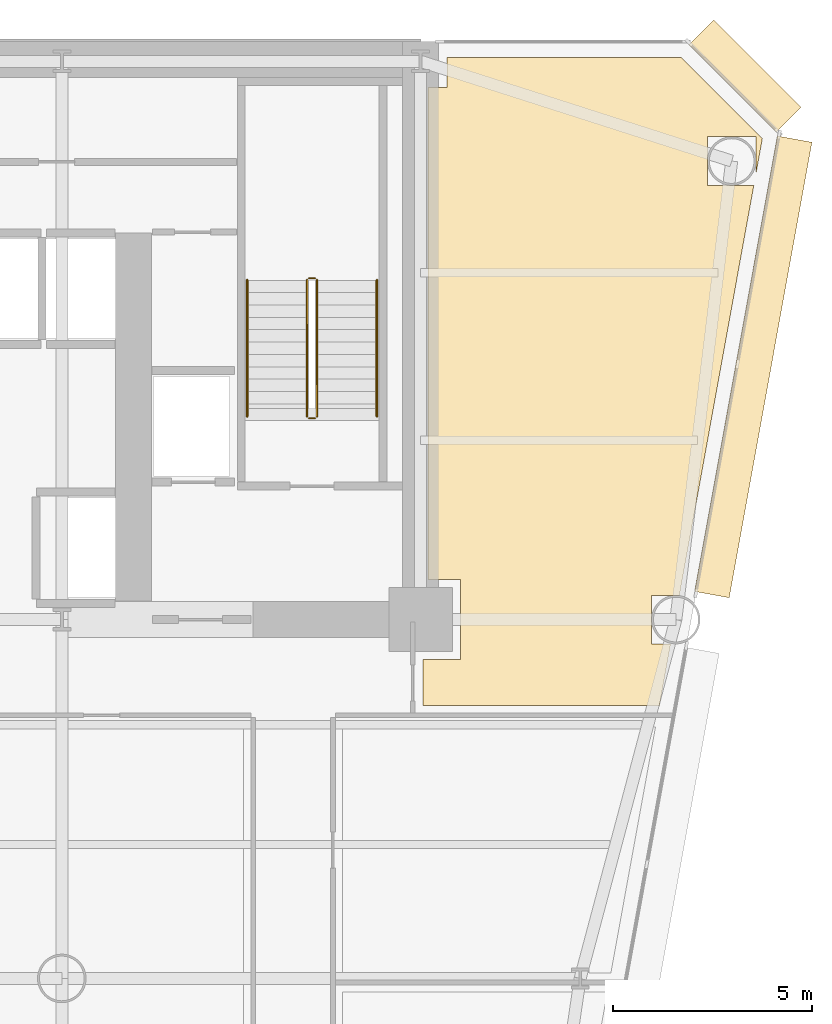
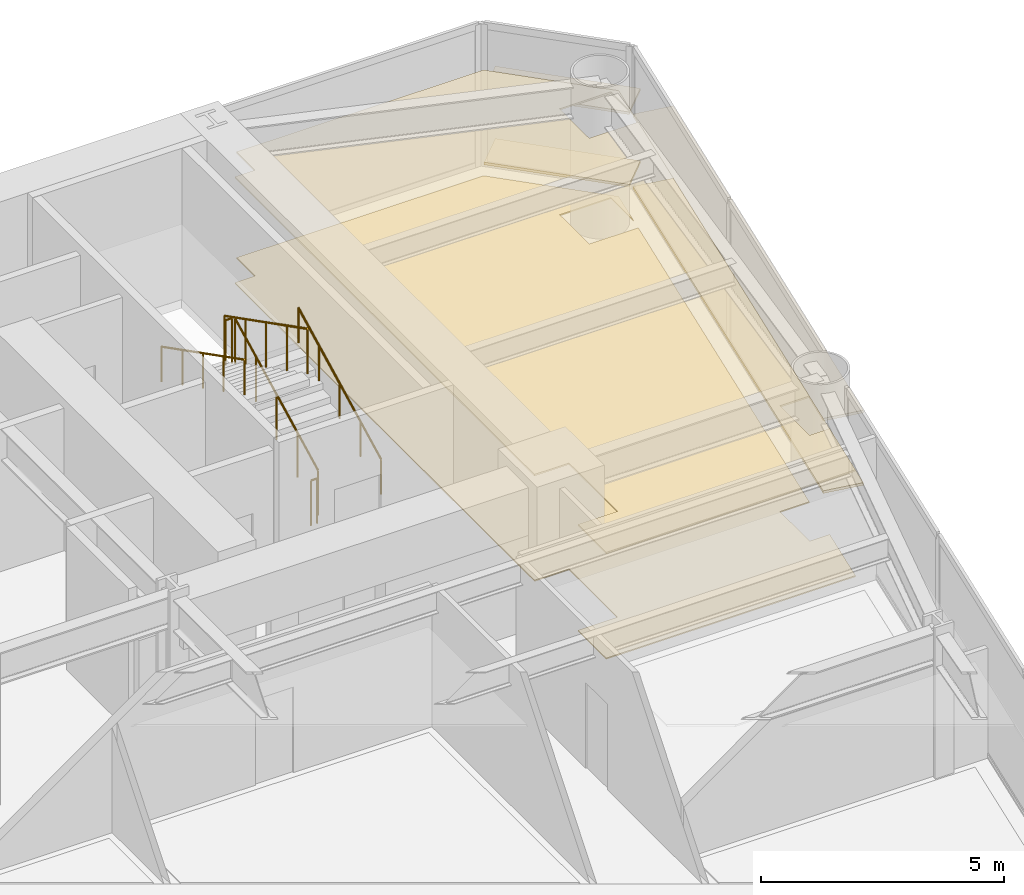
# One storey, part 14 of 14: 6 coverings, 6 railings.
"""IFC4 building model written with IfcOpenShell, lengths in metres."""

from ifc_helpers import new_model, si_unit, direction, frame, origin, origin_2d, place, context, subcontext, project, spatial, polyline, rectangle, circle, outline, extrude, source, transform, mapped, material, layer, layer_set, type_object, element, save


model = new_model("IFC4")

# Units and contexts
model_context = context("Model", 3, precision=1e-05, world=origin(), true_north=direction((0.0, 1.0)))
body_context = subcontext(model_context, "Body", "Model", "MODEL_VIEW")
ifc_project = project(units=[si_unit("LENGTHUNIT", "METRE"), si_unit("AREAUNIT", "SQUARE_METRE"), si_unit("VOLUMEUNIT", "CUBIC_METRE"), si_unit("PLANEANGLEUNIT", "RADIAN"), si_unit("MASSUNIT", "GRAM", prefix="KILO")], contexts=[model_context])

# Site, building, storey
site_placement = place(None, origin())
site = spatial("IfcSite", under=ifc_project, at=site_placement, CompositionType="ELEMENT")
building_placement = place(site_placement, origin())
building = spatial("IfcBuilding", under=site, at=building_placement, Name="Vaeldorn Concourse Tower", CompositionType="ELEMENT")
storey_placement = place(building_placement, frame((0.0, 0.0, 26.39990234375)))
storey = spatial("IfcBuildingStorey", under=building, at=storey_placement, Name="L06", CompositionType="ELEMENT", Elevation=26.39990234375)

# Coverings
ifc_material_1 = material(Name="Acoustic Mineral Fibre Board", Category="gypsum")
ifc_layer_1 = layer(ifc_material_1, 0.0400390625)
ifc_layer_set_1 = layer_set([ifc_layer_1], Name="Acoustic Mineral Fibre Board")
covering_type_1 = type_object("IfcCoveringType", Name="COV-CEIL-ACOUSTIC", PredefinedType="CEILING", material=ifc_layer_set_1)
covering_1_placement = place(storey_placement, frame((0.0, 0.0, 2.650146484375)))
element("IfcCovering", 1, at=covering_1_placement, inside=storey, type_object=covering_type_1, Name="Suspended Acoustic Ceiling L06-4", PredefinedType="CEILING", context=body_context, shape_type="SweptSolid", body=[
    extrude(outline(polyline([(54.179931640625, 49.840087890625), (54.659912109375, 49.840087890625), (54.659912109375, 50.60009765625), (60.5341796875, 50.60009765625), (62.569091796875, 48.565185546875), (62.409423828125, 47.686279296875), (62.409423828125, 48.609619140625), (61.1904296875, 48.609619140625), (61.1904296875, 47.390380859375), (62.355712890625, 47.390380859375), (60.489501953125, 37.109619140625), (59.79052734375, 37.109619140625), (59.79052734375, 35.890380859375), (60.26806640625, 35.890380859375), (59.98681640625, 34.340087890625), (54.06005859375, 34.340087890625), (54.06005859375, 35.5), (55.0, 35.5), (55.0, 37.5), (54.179931640625, 37.5), (54.179931640625, 49.840087890625)])), origin(), (0.0, 0.0, 1.0), 0.0400390625),
])
ifc_material_2 = material(Name="Honed Limestone Terrazzo Flooring", Category="masonry")
ifc_layer_2 = layer(ifc_material_2, 0.0400390625)
ifc_layer_set_2 = layer_set([ifc_layer_2], Name="Honed Limestone Terrazzo Flooring")
covering_type_2 = type_object("IfcCoveringType", Name="COV-FLOOR-STONE", PredefinedType="FLOORING", material=ifc_layer_set_2)
covering_2_placement = place(storey_placement, origin())
element("IfcCovering", 2, at=covering_2_placement, inside=storey, type_object=covering_type_2, Name="Floor Finish Covering L06-4", PredefinedType="FLOORING", context=body_context, shape_type="SweptSolid", body=[
    extrude(outline(polyline([(54.179931640625, 49.840087890625), (54.659912109375, 49.840087890625), (54.659912109375, 50.60009765625), (60.5341796875, 50.60009765625), (62.569091796875, 48.565185546875), (62.409423828125, 47.686279296875), (62.409423828125, 48.609619140625), (61.1904296875, 48.609619140625), (61.1904296875, 47.390380859375), (62.355712890625, 47.390380859375), (60.489501953125, 37.109619140625), (59.79052734375, 37.109619140625), (59.79052734375, 35.890380859375), (60.26806640625, 35.890380859375), (59.98681640625, 34.340087890625), (54.06005859375, 34.340087890625), (54.06005859375, 35.5), (55.0, 35.5), (55.0, 37.5), (54.179931640625, 37.5), (54.179931640625, 49.840087890625)])), origin(), (0.0, 0.0, 1.0), 0.030029296875),
])

# Railings
ifc_material_3 = material(Name="Anodised Bronze Aluminium", Category="aluminium")
railing_type_1 = type_object("IfcRailingType", Name="RL-STAIR-GUARD", PredefinedType="GUARDRAIL", material=ifc_material_3)
railing_1_placement = place(storey_placement, frame((51.39990234375, 41.60009765625, 0.158447265625)))
element("IfcRailing", 3, at=railing_1_placement, inside=storey, type_object=railing_type_1, Name="L06 ST-2 stair guard 1", PredefinedType="GUARDRAIL", context=body_context, shape_type="SweptSolid", body=[
    extrude(circle(Radius=0.02392578125, at=origin_2d()), frame((0.0, 0.0, 1.1259765625), z_axis=(0.0, 0.890555807335, 0.454873997962), x_axis=(-1.0, 0.0, 0.0)), (0.0, 0.0, 1.0), 3.828857421875),
    extrude(circle(Radius=0.02099609375, at=origin_2d()), origin(), (0.0, 0.0, 1.0), 1.101806640625),
    extrude(circle(Radius=0.02099609375, at=origin_2d()), frame((0.0, 0.8525390625, 0.435546875)), (0.0, 0.0, 1.0), 1.101806640625),
    extrude(circle(Radius=0.02099609375, at=origin_2d()), frame((0.0, 1.705078125, 0.870849609375)), (0.0, 0.0, 1.0), 1.101806640625),
    extrude(circle(Radius=0.02099609375, at=origin_2d()), frame((0.0, 2.557373046875, 1.30615234375)), (0.0, 0.0, 1.0), 1.101806640625),
    extrude(circle(Radius=0.02099609375, at=origin_2d()), frame((0.0, 3.409912109375, 1.74169921875)), (0.0, 0.0, 1.0), 1.101806640625),
])
railing_2_placement = place(storey_placement, frame((51.35009765625, 45.06005859375, 1.900146484375)))
element("IfcRailing", 4, at=railing_2_placement, inside=storey, type_object=railing_type_1, Name="L06 ST-2 stair guard 2", PredefinedType="GUARDRAIL", context=body_context, shape_type="SweptSolid", body=[
    extrude(circle(Radius=0.02392578125, at=origin_2d()), frame((0.0, 0.0, 1.1259765625), z_axis=(-1.0, 0.0, 0.0), x_axis=(0.0, -1.0, 0.0)), (0.0, 0.0, 1.0), 0.150146484375),
    extrude(circle(Radius=0.02099609375, at=origin_2d()), origin(), (0.0, 0.0, 1.0), 1.101806640625),
    extrude(circle(Radius=0.02099609375, at=origin_2d()), frame((-0.150146484375, 0.0, 0.0)), (0.0, 0.0, 1.0), 1.101806640625),
])
railing_3_placement = place(storey_placement, frame((51.14990234375, 45.010009765625, 2.058349609375)))
element("IfcRailing", 5, at=railing_3_placement, inside=storey, type_object=railing_type_1, Name="L06 ST-2 stair guard 3", PredefinedType="GUARDRAIL", context=body_context, shape_type="SweptSolid", body=[
    extrude(circle(Radius=0.02392578125, at=origin_2d()), frame((0.0, 0.0, 1.1259765625), z_axis=(0.0, -0.890555807335, 0.454873997962), x_axis=(1.0, 0.0, 0.0)), (0.0, 0.0, 1.0), 3.828857421875),
    extrude(circle(Radius=0.02099609375, at=origin_2d()), origin(), (0.0, 0.0, 1.0), 1.101806640625),
    extrude(circle(Radius=0.02099609375, at=origin_2d()), frame((0.0, -0.8525390625, 0.435546875)), (0.0, 0.0, 1.0), 1.101806640625),
    extrude(circle(Radius=0.02099609375, at=origin_2d()), frame((0.0, -1.705078125, 0.870849609375)), (0.0, 0.0, 1.0), 1.101806640625),
    extrude(circle(Radius=0.02099609375, at=origin_2d()), frame((0.0, -2.557373046875, 1.30615234375)), (0.0, 0.0, 1.0), 1.101806640625),
    extrude(circle(Radius=0.02099609375, at=origin_2d()), frame((0.0, -3.409912109375, 1.74169921875)), (0.0, 0.0, 1.0), 1.101806640625),
])
railing_4_placement = place(storey_placement, frame((51.35009765625, 41.550048828125, 0.0)))
element("IfcRailing", 6, at=railing_4_placement, inside=storey, type_object=railing_type_1, Name="L06 ST-2 stair guard 4", PredefinedType="GUARDRAIL", context=body_context, shape_type="SweptSolid", body=[
    extrude(circle(Radius=0.02392578125, at=origin_2d()), frame((0.0, 0.0, 1.1259765625), z_axis=(-1.0, 0.0, 0.0), x_axis=(0.0, -1.0, 0.0)), (0.0, 0.0, 1.0), 0.150146484375),
    extrude(circle(Radius=0.02099609375, at=origin_2d()), origin(), (0.0, 0.0, 1.0), 1.101806640625),
    extrude(circle(Radius=0.02099609375, at=origin_2d()), frame((-0.150146484375, 0.0, 0.0)), (0.0, 0.0, 1.0), 1.101806640625),
])
railing_type_2 = type_object("IfcRailingType", Name="RL-STAIR-HANDRAIL", PredefinedType="HANDRAIL", material=ifc_material_3)
railing_5_placement = place(storey_placement, frame((52.89990234375, 41.60009765625, 0.158447265625)))
element("IfcRailing", 7, at=railing_5_placement, inside=storey, type_object=railing_type_2, Name="L06 ST-2 stair handrail 1", PredefinedType="HANDRAIL", context=body_context, shape_type="SweptSolid", body=[
    extrude(circle(Radius=0.02392578125, at=origin_2d()), frame((0.0, 0.0, 0.8759765625), z_axis=(0.0, 0.890555807335, 0.454873997962), x_axis=(-1.0, 0.0, 0.0)), (0.0, 0.0, 1.0), 3.828857421875),
    extrude(circle(Radius=0.02099609375, at=origin_2d()), origin(), (0.0, 0.0, 1.0), 0.851806640625),
    extrude(circle(Radius=0.02099609375, at=origin_2d()), frame((0.0, 0.8525390625, 0.435546875)), (0.0, 0.0, 1.0), 0.851806640625),
    extrude(circle(Radius=0.02099609375, at=origin_2d()), frame((0.0, 1.705078125, 0.870849609375)), (0.0, 0.0, 1.0), 0.851806640625),
    extrude(circle(Radius=0.02099609375, at=origin_2d()), frame((0.0, 2.557373046875, 1.30615234375)), (0.0, 0.0, 1.0), 0.851806640625),
    extrude(circle(Radius=0.02099609375, at=origin_2d()), frame((0.0, 3.409912109375, 1.74169921875)), (0.0, 0.0, 1.0), 0.851806640625),
])
railing_6_placement = place(storey_placement, frame((49.64990234375, 45.010009765625, 2.058349609375)))
element("IfcRailing", 8, at=railing_6_placement, inside=storey, type_object=railing_type_2, Name="L06 ST-2 stair handrail 2", PredefinedType="HANDRAIL", context=body_context, shape_type="SweptSolid", body=[
    extrude(circle(Radius=0.02392578125, at=origin_2d()), frame((0.0, 0.0, 0.8759765625), z_axis=(0.0, -0.890555807335, 0.454873997962), x_axis=(1.0, 0.0, 0.0)), (0.0, 0.0, 1.0), 3.828857421875),
    extrude(circle(Radius=0.02099609375, at=origin_2d()), origin(), (0.0, 0.0, 1.0), 0.851806640625),
    extrude(circle(Radius=0.02099609375, at=origin_2d()), frame((0.0, -0.8525390625, 0.435546875)), (0.0, 0.0, 1.0), 0.851806640625),
    extrude(circle(Radius=0.02099609375, at=origin_2d()), frame((0.0, -1.705078125, 0.870849609375)), (0.0, 0.0, 1.0), 0.851806640625),
    extrude(circle(Radius=0.02099609375, at=origin_2d()), frame((0.0, -2.557373046875, 1.30615234375)), (0.0, 0.0, 1.0), 0.851806640625),
    extrude(circle(Radius=0.02099609375, at=origin_2d()), frame((0.0, -3.409912109375, 1.74169921875)), (0.0, 0.0, 1.0), 0.851806640625),
])

# Coverings
ifc_layer_3 = layer(ifc_material_3, 0.06494140625)
ifc_layer_set_3 = layer_set([ifc_layer_3], Name="Anodised Bronze Aluminium")
covering_type_3 = type_object("IfcCoveringType", Name="SD-BRONZE-SUNSHADE", PredefinedType="USERDEFINED", material=ifc_layer_set_3)
shared_shape_1 = source(origin(), body_context, "Body", "SweptSolid", [
    extrude(rectangle(XDim=3.0927734375, YDim=0.8798828125, at=origin_2d()), origin(), (0.0, 0.0, 1.0), 0.06494140625),
])
for number, where, z_axis, x_axis, name in (
    (9, (62.1328125, 50.1328125, 0.047607421875), (0.0, 0.0, 1.0), (-0.707106781187, 0.707106781187, 0.0), "Horizontal Bronze Sunshade L06-E08.1.1"),
    (10, (62.1328125, 50.1328125, 1.86767578125), (0.0, 0.0, 1.0), (-0.707106781187, 0.707106781187, 0.0), "Horizontal Bronze Sunshade L06-E08.1.2"),
):
    element("IfcCovering", number, at=place(storey_placement, frame(where, z_axis=z_axis, x_axis=x_axis)), inside=storey, type_object=covering_type_3, Name=name, ObjectType="SUNSHADE", PredefinedType="USERDEFINED", context=body_context, shape_type="MappedRepresentation", body=[
        mapped(shared_shape_1, transform((0.0, 0.0, 0.0), scale=1.0)),
    ])
shared_shape_2 = source(origin(), body_context, "Body", "SweptSolid", [
    extrude(rectangle(XDim=11.60986328125, YDim=0.8798828125, at=origin_2d()), origin(), (0.0, 0.0, 1.0), 0.06494140625),
])
for number, where, z_axis, x_axis, name in (
    (11, (62.342529296875, 42.83837890625, 0.047607421875), (0.0, 0.0, 1.0), (0.178613319455, 0.983919347362, 0.0), "Horizontal Bronze Sunshade L06-E07.2.1"),
    (12, (62.342529296875, 42.83837890625, 1.86767578125), (0.0, 0.0, 1.0), (0.178613319455, 0.983919347362, 0.0), "Horizontal Bronze Sunshade L06-E07.2.2"),
):
    element("IfcCovering", number, at=place(storey_placement, frame(where, z_axis=z_axis, x_axis=x_axis)), inside=storey, type_object=covering_type_3, Name=name, ObjectType="SUNSHADE", PredefinedType="USERDEFINED", context=body_context, shape_type="MappedRepresentation", body=[
        mapped(shared_shape_2, transform((0.0, 0.0, 0.0), scale=1.0)),
    ])

save(model, "model.ifc")
